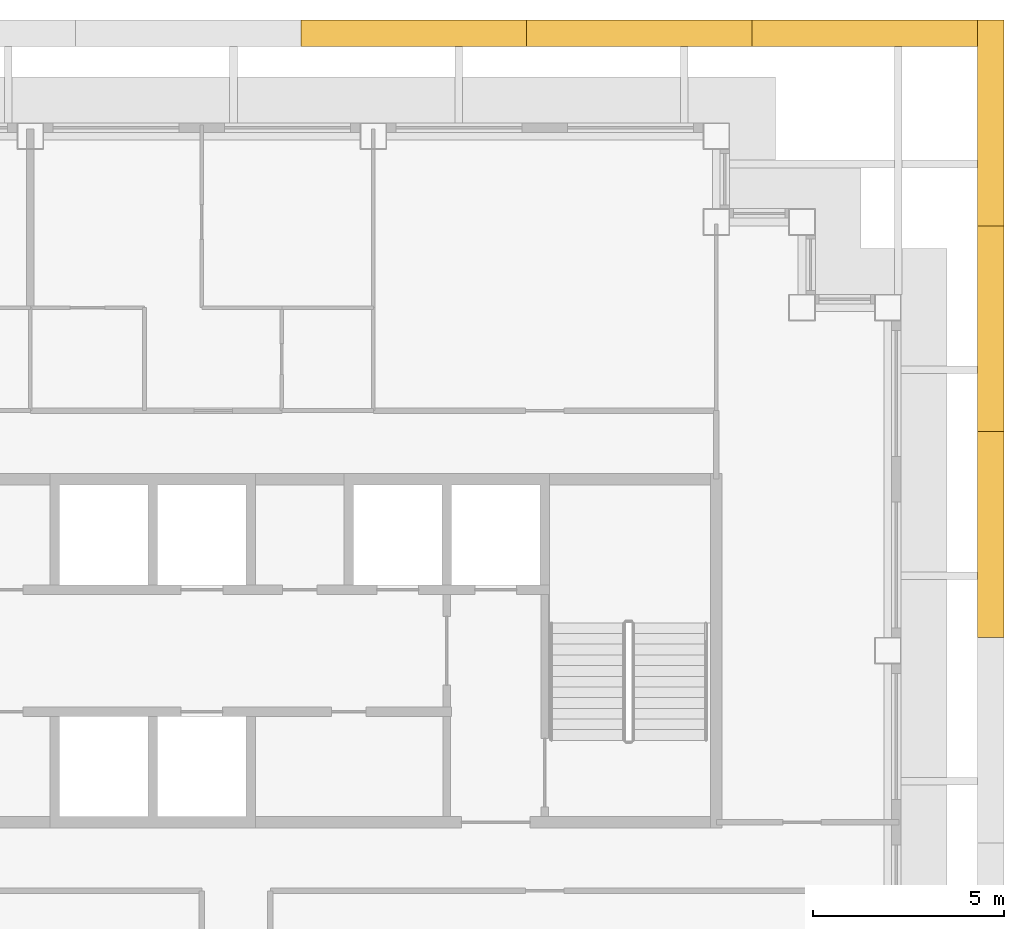
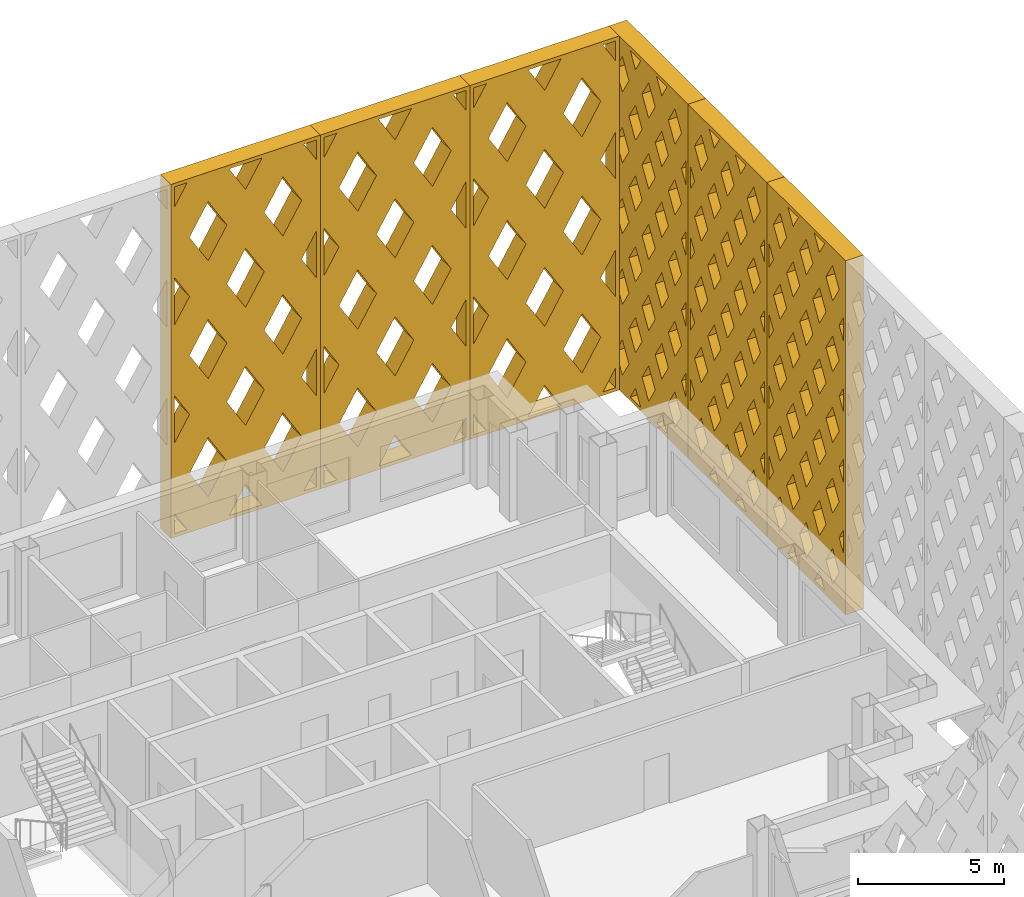
# One storey, part 16 of 16: 6 shading devices.
"""IFC4 building model written with IfcOpenShell, lengths in metres."""

from ifc_helpers import new_model, si_unit, direction, frame, origin, place, context, subcontext, project, spatial, polyline, outline, extrude, material, type_object, element, save


model = new_model("IFC4")

# Units and contexts
model_context = context("Model", 3, precision=1e-05, world=origin(), true_north=direction((0.0, 1.0)))
body_context = subcontext(model_context, "Body", "Model", "MODEL_VIEW")
ifc_project = project(units=[si_unit("LENGTHUNIT", "METRE"), si_unit("AREAUNIT", "SQUARE_METRE"), si_unit("VOLUMEUNIT", "CUBIC_METRE"), si_unit("PLANEANGLEUNIT", "RADIAN"), si_unit("MASSUNIT", "GRAM", prefix="KILO")], contexts=[model_context])

# Site, building, storey
site_placement = place(None, origin())
site = spatial("IfcSite", under=ifc_project, at=site_placement, CompositionType="ELEMENT")
building_placement = place(site_placement, origin())
building = spatial("IfcBuilding", under=site, at=building_placement, Name="Caravel Reach Hotel and Residences", CompositionType="ELEMENT")
storey_placement = place(building_placement, frame((0.0, 0.0, 207.199951171875)))
storey = spatial("IfcBuildingStorey", under=building, at=storey_placement, Name="L52", CompositionType="ELEMENT", Elevation=207.199951171875)

# Shading devices
ifc_material_1 = material(Name="Black powder-coated aluminium", Category="aluminium")
shading_device_type_1 = type_object("IfcShadingDeviceType", Name="Diamond lattice screen panel 5400 x 14800", PredefinedType="USERDEFINED", material=ifc_material_1)
shading_device_1_placement = place(storey_placement, frame((51.85009765625, 27.35009765625, 0.0), z_axis=(1.0, 0.0, 0.0), x_axis=(0.0, 1.0, 0.0)))
element("IfcShadingDevice", 1, at=shading_device_1_placement, inside=storey, type_object=shading_device_type_1, Name="Lattice screen L52-L55 3.4", ObjectType="SCREEN", PredefinedType="USERDEFINED", context=body_context, shape_type="SweptSolid", body=[
    extrude(outline(polyline([(0.0, 0.0), (5.39990234375, 0.0), (5.39990234375, 14.800048828125), (0.0, 14.800048828125), (0.0, 0.0)]), holes=[polyline([(0.452880859375, 2.9599609375), (0.14990234375, 3.4580078125), (0.14990234375, 2.4619140625), (0.452880859375, 2.9599609375)]), polyline([(0.452880859375, 5.919921875), (0.14990234375, 6.41796875), (0.14990234375, 5.421875), (0.452880859375, 5.919921875)]), polyline([(0.452880859375, 8.8798828125), (0.14990234375, 9.378173828125), (0.14990234375, 8.3818359375), (0.452880859375, 8.8798828125)]), polyline([(0.452880859375, 11.840087890625), (0.14990234375, 12.338134765625), (0.14990234375, 11.342041015625), (0.452880859375, 11.840087890625)]), polyline([(0.89990234375, 2.224853515625), (0.447021484375, 1.47998046875), (0.89990234375, 0.7353515625), (1.352783203125, 1.47998046875), (0.89990234375, 2.224853515625)]), polyline([(0.89990234375, 5.184814453125), (0.447021484375, 4.43994140625), (0.89990234375, 3.6953125), (1.352783203125, 4.43994140625), (0.89990234375, 5.184814453125)]), polyline([(0.89990234375, 8.144775390625), (0.447021484375, 7.39990234375), (0.89990234375, 6.6552734375), (1.352783203125, 7.39990234375), (0.89990234375, 8.144775390625)]), polyline([(0.89990234375, 11.104736328125), (0.447021484375, 10.360107421875), (0.89990234375, 9.615234375), (1.352783203125, 10.360107421875), (0.89990234375, 11.104736328125)]), polyline([(0.89990234375, 14.064697265625), (0.447021484375, 13.320068359375), (0.89990234375, 12.5751953125), (1.352783203125, 13.320068359375), (0.89990234375, 14.064697265625)]), polyline([(1.800048828125, 0.74462890625), (1.438232421875, 0.14990234375), (2.16162109375, 0.14990234375), (1.800048828125, 0.74462890625)]), polyline([(1.800048828125, 3.704833984375), (1.34716796875, 2.9599609375), (1.800048828125, 2.21533203125), (2.2529296875, 2.9599609375), (1.800048828125, 3.704833984375)]), polyline([(1.800048828125, 6.664794921875), (1.34716796875, 5.919921875), (1.800048828125, 5.17529296875), (2.2529296875, 5.919921875), (1.800048828125, 6.664794921875)]), polyline([(1.800048828125, 9.624755859375), (1.34716796875, 8.8798828125), (1.800048828125, 8.13525390625), (2.2529296875, 8.8798828125), (1.800048828125, 9.624755859375)]), polyline([(1.800048828125, 12.584716796875), (1.34716796875, 11.840087890625), (1.800048828125, 11.09521484375), (2.2529296875, 11.840087890625), (1.800048828125, 12.584716796875)]), polyline([(1.800048828125, 14.05517578125), (2.16162109375, 14.64990234375), (1.438232421875, 14.64990234375), (1.800048828125, 14.05517578125)]), polyline([(2.699951171875, 2.224853515625), (2.2470703125, 1.47998046875), (2.699951171875, 0.7353515625), (3.15283203125, 1.47998046875), (2.699951171875, 2.224853515625)]), polyline([(2.699951171875, 5.184814453125), (2.2470703125, 4.43994140625), (2.699951171875, 3.6953125), (3.15283203125, 4.43994140625), (2.699951171875, 5.184814453125)]), polyline([(2.699951171875, 8.144775390625), (2.2470703125, 7.39990234375), (2.699951171875, 6.6552734375), (3.15283203125, 7.39990234375), (2.699951171875, 8.144775390625)]), polyline([(2.699951171875, 11.104736328125), (2.2470703125, 10.360107421875), (2.699951171875, 9.615234375), (3.15283203125, 10.360107421875), (2.699951171875, 11.104736328125)]), polyline([(2.699951171875, 14.064697265625), (2.2470703125, 13.320068359375), (2.699951171875, 12.5751953125), (3.15283203125, 13.320068359375), (2.699951171875, 14.064697265625)]), polyline([(3.60009765625, 0.74462890625), (3.23828125, 0.14990234375), (3.961669921875, 0.14990234375), (3.60009765625, 0.74462890625)]), polyline([(3.60009765625, 3.704833984375), (3.147216796875, 2.9599609375), (3.60009765625, 2.21533203125), (4.052978515625, 2.9599609375), (3.60009765625, 3.704833984375)]), polyline([(3.60009765625, 6.664794921875), (3.147216796875, 5.919921875), (3.60009765625, 5.17529296875), (4.052978515625, 5.919921875), (3.60009765625, 6.664794921875)]), polyline([(3.60009765625, 9.624755859375), (3.147216796875, 8.8798828125), (3.60009765625, 8.13525390625), (4.052978515625, 8.8798828125), (3.60009765625, 9.624755859375)]), polyline([(3.60009765625, 12.584716796875), (3.147216796875, 11.840087890625), (3.60009765625, 11.09521484375), (4.052978515625, 11.840087890625), (3.60009765625, 12.584716796875)]), polyline([(3.60009765625, 14.05517578125), (3.961669921875, 14.64990234375), (3.23828125, 14.64990234375), (3.60009765625, 14.05517578125)]), polyline([(4.5, 2.224853515625), (4.047119140625, 1.47998046875), (4.5, 0.7353515625), (4.952880859375, 1.47998046875), (4.5, 2.224853515625)]), polyline([(4.5, 5.184814453125), (4.047119140625, 4.43994140625), (4.5, 3.6953125), (4.952880859375, 4.43994140625), (4.5, 5.184814453125)]), polyline([(4.5, 8.144775390625), (4.047119140625, 7.39990234375), (4.5, 6.6552734375), (4.952880859375, 7.39990234375), (4.5, 8.144775390625)]), polyline([(4.5, 11.104736328125), (4.047119140625, 10.360107421875), (4.5, 9.615234375), (4.952880859375, 10.360107421875), (4.5, 11.104736328125)]), polyline([(4.5, 14.064697265625), (4.047119140625, 13.320068359375), (4.5, 12.5751953125), (4.952880859375, 13.320068359375), (4.5, 14.064697265625)]), polyline([(4.947021484375, 2.9599609375), (5.25, 2.4619140625), (5.25, 3.4580078125), (4.947021484375, 2.9599609375)]), polyline([(4.947021484375, 5.919921875), (5.25, 5.421875), (5.25, 6.41796875), (4.947021484375, 5.919921875)]), polyline([(4.947021484375, 8.8798828125), (5.25, 8.3818359375), (5.25, 9.378173828125), (4.947021484375, 8.8798828125)]), polyline([(4.947021484375, 11.840087890625), (5.25, 11.342041015625), (5.25, 12.338134765625), (4.947021484375, 11.840087890625)])]), origin(), (0.0, 0.0, 1.0), 0.699951171875),
])
shading_device_2_placement = place(storey_placement, frame((51.85009765625, 32.75, 0.0), z_axis=(1.0, 0.0, 0.0), x_axis=(0.0, 1.0, 0.0)))
element("IfcShadingDevice", 2, at=shading_device_2_placement, inside=storey, type_object=shading_device_type_1, Name="Lattice screen L52-L55 3.5", ObjectType="SCREEN", PredefinedType="USERDEFINED", context=body_context, shape_type="SweptSolid", body=[
    extrude(outline(polyline([(0.0, 0.0), (5.39990234375, 0.0), (5.39990234375, 14.800048828125), (0.0, 14.800048828125), (0.0, 0.0)]), holes=[polyline([(0.452880859375, 2.9599609375), (0.14990234375, 3.4580078125), (0.14990234375, 2.4619140625), (0.452880859375, 2.9599609375)]), polyline([(0.452880859375, 5.919921875), (0.14990234375, 6.41796875), (0.14990234375, 5.421875), (0.452880859375, 5.919921875)]), polyline([(0.452880859375, 8.8798828125), (0.14990234375, 9.378173828125), (0.14990234375, 8.3818359375), (0.452880859375, 8.8798828125)]), polyline([(0.452880859375, 11.840087890625), (0.14990234375, 12.338134765625), (0.14990234375, 11.342041015625), (0.452880859375, 11.840087890625)]), polyline([(0.89990234375, 2.224853515625), (0.447021484375, 1.47998046875), (0.89990234375, 0.7353515625), (1.352783203125, 1.47998046875), (0.89990234375, 2.224853515625)]), polyline([(0.89990234375, 5.184814453125), (0.447021484375, 4.43994140625), (0.89990234375, 3.6953125), (1.352783203125, 4.43994140625), (0.89990234375, 5.184814453125)]), polyline([(0.89990234375, 8.144775390625), (0.447021484375, 7.39990234375), (0.89990234375, 6.6552734375), (1.352783203125, 7.39990234375), (0.89990234375, 8.144775390625)]), polyline([(0.89990234375, 11.104736328125), (0.447021484375, 10.360107421875), (0.89990234375, 9.615234375), (1.352783203125, 10.360107421875), (0.89990234375, 11.104736328125)]), polyline([(0.89990234375, 14.064697265625), (0.447021484375, 13.320068359375), (0.89990234375, 12.5751953125), (1.352783203125, 13.320068359375), (0.89990234375, 14.064697265625)]), polyline([(1.800048828125, 0.74462890625), (1.438232421875, 0.14990234375), (2.16162109375, 0.14990234375), (1.800048828125, 0.74462890625)]), polyline([(1.800048828125, 3.704833984375), (1.34716796875, 2.9599609375), (1.800048828125, 2.21533203125), (2.2529296875, 2.9599609375), (1.800048828125, 3.704833984375)]), polyline([(1.800048828125, 6.664794921875), (1.34716796875, 5.919921875), (1.800048828125, 5.17529296875), (2.2529296875, 5.919921875), (1.800048828125, 6.664794921875)]), polyline([(1.800048828125, 9.624755859375), (1.34716796875, 8.8798828125), (1.800048828125, 8.13525390625), (2.2529296875, 8.8798828125), (1.800048828125, 9.624755859375)]), polyline([(1.800048828125, 12.584716796875), (1.34716796875, 11.840087890625), (1.800048828125, 11.09521484375), (2.2529296875, 11.840087890625), (1.800048828125, 12.584716796875)]), polyline([(1.800048828125, 14.05517578125), (2.16162109375, 14.64990234375), (1.438232421875, 14.64990234375), (1.800048828125, 14.05517578125)]), polyline([(2.699951171875, 2.224853515625), (2.2470703125, 1.47998046875), (2.699951171875, 0.7353515625), (3.15283203125, 1.47998046875), (2.699951171875, 2.224853515625)]), polyline([(2.699951171875, 5.184814453125), (2.2470703125, 4.43994140625), (2.699951171875, 3.6953125), (3.15283203125, 4.43994140625), (2.699951171875, 5.184814453125)]), polyline([(2.699951171875, 8.144775390625), (2.2470703125, 7.39990234375), (2.699951171875, 6.6552734375), (3.15283203125, 7.39990234375), (2.699951171875, 8.144775390625)]), polyline([(2.699951171875, 11.104736328125), (2.2470703125, 10.360107421875), (2.699951171875, 9.615234375), (3.15283203125, 10.360107421875), (2.699951171875, 11.104736328125)]), polyline([(2.699951171875, 14.064697265625), (2.2470703125, 13.320068359375), (2.699951171875, 12.5751953125), (3.15283203125, 13.320068359375), (2.699951171875, 14.064697265625)]), polyline([(3.60009765625, 0.74462890625), (3.23828125, 0.14990234375), (3.961669921875, 0.14990234375), (3.60009765625, 0.74462890625)]), polyline([(3.60009765625, 3.704833984375), (3.147216796875, 2.9599609375), (3.60009765625, 2.21533203125), (4.052978515625, 2.9599609375), (3.60009765625, 3.704833984375)]), polyline([(3.60009765625, 6.664794921875), (3.147216796875, 5.919921875), (3.60009765625, 5.17529296875), (4.052978515625, 5.919921875), (3.60009765625, 6.664794921875)]), polyline([(3.60009765625, 9.624755859375), (3.147216796875, 8.8798828125), (3.60009765625, 8.13525390625), (4.052978515625, 8.8798828125), (3.60009765625, 9.624755859375)]), polyline([(3.60009765625, 12.584716796875), (3.147216796875, 11.840087890625), (3.60009765625, 11.09521484375), (4.052978515625, 11.840087890625), (3.60009765625, 12.584716796875)]), polyline([(3.60009765625, 14.05517578125), (3.961669921875, 14.64990234375), (3.23828125, 14.64990234375), (3.60009765625, 14.05517578125)]), polyline([(4.5, 2.224853515625), (4.047119140625, 1.47998046875), (4.5, 0.7353515625), (4.952880859375, 1.47998046875), (4.5, 2.224853515625)]), polyline([(4.5, 5.184814453125), (4.047119140625, 4.43994140625), (4.5, 3.6953125), (4.952880859375, 4.43994140625), (4.5, 5.184814453125)]), polyline([(4.5, 8.144775390625), (4.047119140625, 7.39990234375), (4.5, 6.6552734375), (4.952880859375, 7.39990234375), (4.5, 8.144775390625)]), polyline([(4.5, 11.104736328125), (4.047119140625, 10.360107421875), (4.5, 9.615234375), (4.952880859375, 10.360107421875), (4.5, 11.104736328125)]), polyline([(4.5, 14.064697265625), (4.047119140625, 13.320068359375), (4.5, 12.5751953125), (4.952880859375, 13.320068359375), (4.5, 14.064697265625)]), polyline([(4.947021484375, 2.9599609375), (5.25, 2.4619140625), (5.25, 3.4580078125), (4.947021484375, 2.9599609375)]), polyline([(4.947021484375, 5.919921875), (5.25, 5.421875), (5.25, 6.41796875), (4.947021484375, 5.919921875)]), polyline([(4.947021484375, 8.8798828125), (5.25, 8.3818359375), (5.25, 9.378173828125), (4.947021484375, 8.8798828125)]), polyline([(4.947021484375, 11.840087890625), (5.25, 11.342041015625), (5.25, 12.338134765625), (4.947021484375, 11.840087890625)])]), origin(), (0.0, 0.0, 1.0), 0.699951171875),
])
shading_device_3_placement = place(storey_placement, frame((51.85009765625, 38.14990234375, 0.0), z_axis=(1.0, 0.0, 0.0), x_axis=(0.0, 1.0, 0.0)))
element("IfcShadingDevice", 3, at=shading_device_3_placement, inside=storey, type_object=shading_device_type_1, Name="Lattice screen L52-L55 3.6", ObjectType="SCREEN", PredefinedType="USERDEFINED", context=body_context, shape_type="SweptSolid", body=[
    extrude(outline(polyline([(0.0, 0.0), (5.39990234375, 0.0), (5.39990234375, 14.800048828125), (0.0, 14.800048828125), (0.0, 0.0)]), holes=[polyline([(0.452880859375, 2.9599609375), (0.14990234375, 3.4580078125), (0.14990234375, 2.4619140625), (0.452880859375, 2.9599609375)]), polyline([(0.452880859375, 5.919921875), (0.14990234375, 6.41796875), (0.14990234375, 5.421875), (0.452880859375, 5.919921875)]), polyline([(0.452880859375, 8.8798828125), (0.14990234375, 9.378173828125), (0.14990234375, 8.3818359375), (0.452880859375, 8.8798828125)]), polyline([(0.452880859375, 11.840087890625), (0.14990234375, 12.338134765625), (0.14990234375, 11.342041015625), (0.452880859375, 11.840087890625)]), polyline([(0.89990234375, 2.224853515625), (0.447021484375, 1.47998046875), (0.89990234375, 0.7353515625), (1.352783203125, 1.47998046875), (0.89990234375, 2.224853515625)]), polyline([(0.89990234375, 5.184814453125), (0.447021484375, 4.43994140625), (0.89990234375, 3.6953125), (1.352783203125, 4.43994140625), (0.89990234375, 5.184814453125)]), polyline([(0.89990234375, 8.144775390625), (0.447021484375, 7.39990234375), (0.89990234375, 6.6552734375), (1.352783203125, 7.39990234375), (0.89990234375, 8.144775390625)]), polyline([(0.89990234375, 11.104736328125), (0.447021484375, 10.360107421875), (0.89990234375, 9.615234375), (1.352783203125, 10.360107421875), (0.89990234375, 11.104736328125)]), polyline([(0.89990234375, 14.064697265625), (0.447021484375, 13.320068359375), (0.89990234375, 12.5751953125), (1.352783203125, 13.320068359375), (0.89990234375, 14.064697265625)]), polyline([(1.800048828125, 0.74462890625), (1.438232421875, 0.14990234375), (2.16162109375, 0.14990234375), (1.800048828125, 0.74462890625)]), polyline([(1.800048828125, 3.704833984375), (1.34716796875, 2.9599609375), (1.800048828125, 2.21533203125), (2.2529296875, 2.9599609375), (1.800048828125, 3.704833984375)]), polyline([(1.800048828125, 6.664794921875), (1.34716796875, 5.919921875), (1.800048828125, 5.17529296875), (2.2529296875, 5.919921875), (1.800048828125, 6.664794921875)]), polyline([(1.800048828125, 9.624755859375), (1.34716796875, 8.8798828125), (1.800048828125, 8.13525390625), (2.2529296875, 8.8798828125), (1.800048828125, 9.624755859375)]), polyline([(1.800048828125, 12.584716796875), (1.34716796875, 11.840087890625), (1.800048828125, 11.09521484375), (2.2529296875, 11.840087890625), (1.800048828125, 12.584716796875)]), polyline([(1.800048828125, 14.05517578125), (2.16162109375, 14.64990234375), (1.438232421875, 14.64990234375), (1.800048828125, 14.05517578125)]), polyline([(2.699951171875, 2.224853515625), (2.2470703125, 1.47998046875), (2.699951171875, 0.7353515625), (3.15283203125, 1.47998046875), (2.699951171875, 2.224853515625)]), polyline([(2.699951171875, 5.184814453125), (2.2470703125, 4.43994140625), (2.699951171875, 3.6953125), (3.15283203125, 4.43994140625), (2.699951171875, 5.184814453125)]), polyline([(2.699951171875, 8.144775390625), (2.2470703125, 7.39990234375), (2.699951171875, 6.6552734375), (3.15283203125, 7.39990234375), (2.699951171875, 8.144775390625)]), polyline([(2.699951171875, 11.104736328125), (2.2470703125, 10.360107421875), (2.699951171875, 9.615234375), (3.15283203125, 10.360107421875), (2.699951171875, 11.104736328125)]), polyline([(2.699951171875, 14.064697265625), (2.2470703125, 13.320068359375), (2.699951171875, 12.5751953125), (3.15283203125, 13.320068359375), (2.699951171875, 14.064697265625)]), polyline([(3.60009765625, 0.74462890625), (3.23828125, 0.14990234375), (3.961669921875, 0.14990234375), (3.60009765625, 0.74462890625)]), polyline([(3.60009765625, 3.704833984375), (3.147216796875, 2.9599609375), (3.60009765625, 2.21533203125), (4.052978515625, 2.9599609375), (3.60009765625, 3.704833984375)]), polyline([(3.60009765625, 6.664794921875), (3.147216796875, 5.919921875), (3.60009765625, 5.17529296875), (4.052978515625, 5.919921875), (3.60009765625, 6.664794921875)]), polyline([(3.60009765625, 9.624755859375), (3.147216796875, 8.8798828125), (3.60009765625, 8.13525390625), (4.052978515625, 8.8798828125), (3.60009765625, 9.624755859375)]), polyline([(3.60009765625, 12.584716796875), (3.147216796875, 11.840087890625), (3.60009765625, 11.09521484375), (4.052978515625, 11.840087890625), (3.60009765625, 12.584716796875)]), polyline([(3.60009765625, 14.05517578125), (3.961669921875, 14.64990234375), (3.23828125, 14.64990234375), (3.60009765625, 14.05517578125)]), polyline([(4.5, 2.224853515625), (4.047119140625, 1.47998046875), (4.5, 0.7353515625), (4.952880859375, 1.47998046875), (4.5, 2.224853515625)]), polyline([(4.5, 5.184814453125), (4.047119140625, 4.43994140625), (4.5, 3.6953125), (4.952880859375, 4.43994140625), (4.5, 5.184814453125)]), polyline([(4.5, 8.144775390625), (4.047119140625, 7.39990234375), (4.5, 6.6552734375), (4.952880859375, 7.39990234375), (4.5, 8.144775390625)]), polyline([(4.5, 11.104736328125), (4.047119140625, 10.360107421875), (4.5, 9.615234375), (4.952880859375, 10.360107421875), (4.5, 11.104736328125)]), polyline([(4.5, 14.064697265625), (4.047119140625, 13.320068359375), (4.5, 12.5751953125), (4.952880859375, 13.320068359375), (4.5, 14.064697265625)]), polyline([(4.947021484375, 2.9599609375), (5.25, 2.4619140625), (5.25, 3.4580078125), (4.947021484375, 2.9599609375)]), polyline([(4.947021484375, 5.919921875), (5.25, 5.421875), (5.25, 6.41796875), (4.947021484375, 5.919921875)]), polyline([(4.947021484375, 8.8798828125), (5.25, 8.3818359375), (5.25, 9.378173828125), (4.947021484375, 8.8798828125)]), polyline([(4.947021484375, 11.840087890625), (5.25, 11.342041015625), (5.25, 12.338134765625), (4.947021484375, 11.840087890625)])]), origin(), (0.0, 0.0, 1.0), 0.699951171875),
])
ifc_material_2 = material(Name="Black powder-coated aluminium", Category="aluminium")
shading_device_type_2 = type_object("IfcShadingDeviceType", Name="Diamond lattice screen panel 5914 x 14800", PredefinedType="USERDEFINED", material=ifc_material_2)
shading_device_4_placement = place(storey_placement, frame((51.85009765625, 42.85009765625, 0.0), z_axis=(0.0, 1.0, 0.0), x_axis=(-1.0, 0.0, 0.0)))
element("IfcShadingDevice", 4, at=shading_device_4_placement, inside=storey, type_object=shading_device_type_2, Name="Lattice screen L52-L55 4.1", ObjectType="SCREEN", PredefinedType="USERDEFINED", context=body_context, shape_type="SweptSolid", body=[
    extrude(outline(polyline([(0.0, 0.0), (5.914306640625, 0.0), (5.914306640625, 14.800048828125), (0.0, 14.800048828125), (0.0, 0.0)]), holes=[polyline([(0.6513671875, 0.14990234375), (0.14990234375, 0.986572265625), (0.14990234375, 0.14990234375), (0.6513671875, 0.14990234375)]), polyline([(0.7412109375, 4.933349609375), (0.14990234375, 5.919921875), (0.14990234375, 3.94677734375), (0.7412109375, 4.933349609375)]), polyline([(0.7412109375, 9.86669921875), (0.14990234375, 10.853271484375), (0.14990234375, 8.880126953125), (0.7412109375, 9.86669921875)]), polyline([(0.14990234375, 13.8134765625), (0.6513671875, 14.64990234375), (0.14990234375, 14.64990234375), (0.14990234375, 13.8134765625)]), polyline([(1.478515625, 3.703369140625), (0.7373046875, 2.466552734375), (1.478515625, 1.22998046875), (2.219970703125, 2.466552734375), (1.478515625, 3.703369140625)]), polyline([(1.478515625, 8.63671875), (0.7373046875, 7.39990234375), (1.478515625, 6.163330078125), (2.219970703125, 7.39990234375), (1.478515625, 8.63671875)]), polyline([(1.478515625, 13.570068359375), (0.7373046875, 12.333251953125), (1.478515625, 11.0966796875), (2.219970703125, 12.333251953125), (1.478515625, 13.570068359375)]), polyline([(2.95703125, 1.23681640625), (2.3056640625, 0.14990234375), (3.608642578125, 0.14990234375), (2.95703125, 1.23681640625)]), polyline([(2.95703125, 6.170166015625), (2.2158203125, 4.933349609375), (2.95703125, 3.696533203125), (3.698486328125, 4.933349609375), (2.95703125, 6.170166015625)]), polyline([(2.95703125, 11.103515625), (2.2158203125, 9.86669921875), (2.95703125, 8.6298828125), (3.698486328125, 9.86669921875), (2.95703125, 11.103515625)]), polyline([(2.95703125, 13.563232421875), (3.608642578125, 14.64990234375), (2.3056640625, 14.64990234375), (2.95703125, 13.563232421875)]), polyline([(4.435791015625, 3.703369140625), (3.6943359375, 2.466552734375), (4.435791015625, 1.22998046875), (5.177001953125, 2.466552734375), (4.435791015625, 3.703369140625)]), polyline([(4.435791015625, 8.63671875), (3.6943359375, 7.39990234375), (4.435791015625, 6.163330078125), (5.177001953125, 7.39990234375), (4.435791015625, 8.63671875)]), polyline([(4.435791015625, 13.570068359375), (3.6943359375, 12.333251953125), (4.435791015625, 11.0966796875), (5.177001953125, 12.333251953125), (4.435791015625, 13.570068359375)]), polyline([(5.764404296875, 0.986572265625), (5.262939453125, 0.14990234375), (5.764404296875, 0.14990234375), (5.764404296875, 0.986572265625)]), polyline([(5.1728515625, 4.933349609375), (5.764404296875, 3.94677734375), (5.764404296875, 5.919921875), (5.1728515625, 4.933349609375)]), polyline([(5.1728515625, 9.86669921875), (5.764404296875, 8.880126953125), (5.764404296875, 10.853271484375), (5.1728515625, 9.86669921875)]), polyline([(5.262939453125, 14.64990234375), (5.764404296875, 13.8134765625), (5.764404296875, 14.64990234375), (5.262939453125, 14.64990234375)])]), origin(), (0.0, 0.0, 1.0), 0.699951171875),
])
shading_device_5_placement = place(storey_placement, frame((45.935791015625, 42.85009765625, 0.0), z_axis=(0.0, 1.0, 0.0), x_axis=(-1.0, 0.0, 0.0)))
element("IfcShadingDevice", 5, at=shading_device_5_placement, inside=storey, type_object=shading_device_type_2, Name="Lattice screen L52-L55 4.2", ObjectType="SCREEN", PredefinedType="USERDEFINED", context=body_context, shape_type="SweptSolid", body=[
    extrude(outline(polyline([(0.0, 0.0), (5.914306640625, 0.0), (5.914306640625, 14.800048828125), (0.0, 14.800048828125), (0.0, 0.0)]), holes=[polyline([(0.6513671875, 0.14990234375), (0.14990234375, 0.986572265625), (0.14990234375, 0.14990234375), (0.6513671875, 0.14990234375)]), polyline([(0.7412109375, 4.933349609375), (0.14990234375, 5.919921875), (0.14990234375, 3.94677734375), (0.7412109375, 4.933349609375)]), polyline([(0.7412109375, 9.86669921875), (0.14990234375, 10.853271484375), (0.14990234375, 8.880126953125), (0.7412109375, 9.86669921875)]), polyline([(0.14990234375, 13.8134765625), (0.6513671875, 14.64990234375), (0.14990234375, 14.64990234375), (0.14990234375, 13.8134765625)]), polyline([(1.478515625, 3.703369140625), (0.7373046875, 2.466552734375), (1.478515625, 1.22998046875), (2.219970703125, 2.466552734375), (1.478515625, 3.703369140625)]), polyline([(1.478515625, 8.63671875), (0.7373046875, 7.39990234375), (1.478515625, 6.163330078125), (2.219970703125, 7.39990234375), (1.478515625, 8.63671875)]), polyline([(1.478515625, 13.570068359375), (0.7373046875, 12.333251953125), (1.478515625, 11.0966796875), (2.219970703125, 12.333251953125), (1.478515625, 13.570068359375)]), polyline([(2.95703125, 1.23681640625), (2.3056640625, 0.14990234375), (3.608642578125, 0.14990234375), (2.95703125, 1.23681640625)]), polyline([(2.95703125, 6.170166015625), (2.2158203125, 4.933349609375), (2.95703125, 3.696533203125), (3.698486328125, 4.933349609375), (2.95703125, 6.170166015625)]), polyline([(2.95703125, 11.103515625), (2.2158203125, 9.86669921875), (2.95703125, 8.6298828125), (3.698486328125, 9.86669921875), (2.95703125, 11.103515625)]), polyline([(2.95703125, 13.563232421875), (3.608642578125, 14.64990234375), (2.3056640625, 14.64990234375), (2.95703125, 13.563232421875)]), polyline([(4.435791015625, 3.703369140625), (3.6943359375, 2.466552734375), (4.435791015625, 1.22998046875), (5.177001953125, 2.466552734375), (4.435791015625, 3.703369140625)]), polyline([(4.435791015625, 8.63671875), (3.6943359375, 7.39990234375), (4.435791015625, 6.163330078125), (5.177001953125, 7.39990234375), (4.435791015625, 8.63671875)]), polyline([(4.435791015625, 13.570068359375), (3.6943359375, 12.333251953125), (4.435791015625, 11.0966796875), (5.177001953125, 12.333251953125), (4.435791015625, 13.570068359375)]), polyline([(5.764404296875, 0.986572265625), (5.262939453125, 0.14990234375), (5.764404296875, 0.14990234375), (5.764404296875, 0.986572265625)]), polyline([(5.1728515625, 4.933349609375), (5.764404296875, 3.94677734375), (5.764404296875, 5.919921875), (5.1728515625, 4.933349609375)]), polyline([(5.1728515625, 9.86669921875), (5.764404296875, 8.880126953125), (5.764404296875, 10.853271484375), (5.1728515625, 9.86669921875)]), polyline([(5.262939453125, 14.64990234375), (5.764404296875, 13.8134765625), (5.764404296875, 14.64990234375), (5.262939453125, 14.64990234375)])]), origin(), (0.0, 0.0, 1.0), 0.699951171875),
])
shading_device_6_placement = place(storey_placement, frame((40.021484375, 42.85009765625, 0.0), z_axis=(0.0, 1.0, 0.0), x_axis=(-1.0, 0.0, 0.0)))
element("IfcShadingDevice", 6, at=shading_device_6_placement, inside=storey, type_object=shading_device_type_2, Name="Lattice screen L52-L55 4.3", ObjectType="SCREEN", PredefinedType="USERDEFINED", context=body_context, shape_type="SweptSolid", body=[
    extrude(outline(polyline([(0.0, 0.0), (5.914306640625, 0.0), (5.914306640625, 14.800048828125), (0.0, 14.800048828125), (0.0, 0.0)]), holes=[polyline([(0.6513671875, 0.14990234375), (0.14990234375, 0.986572265625), (0.14990234375, 0.14990234375), (0.6513671875, 0.14990234375)]), polyline([(0.7412109375, 4.933349609375), (0.14990234375, 5.919921875), (0.14990234375, 3.94677734375), (0.7412109375, 4.933349609375)]), polyline([(0.7412109375, 9.86669921875), (0.14990234375, 10.853271484375), (0.14990234375, 8.880126953125), (0.7412109375, 9.86669921875)]), polyline([(0.14990234375, 13.8134765625), (0.6513671875, 14.64990234375), (0.14990234375, 14.64990234375), (0.14990234375, 13.8134765625)]), polyline([(1.478515625, 3.703369140625), (0.7373046875, 2.466552734375), (1.478515625, 1.22998046875), (2.219970703125, 2.466552734375), (1.478515625, 3.703369140625)]), polyline([(1.478515625, 8.63671875), (0.7373046875, 7.39990234375), (1.478515625, 6.163330078125), (2.219970703125, 7.39990234375), (1.478515625, 8.63671875)]), polyline([(1.478515625, 13.570068359375), (0.7373046875, 12.333251953125), (1.478515625, 11.0966796875), (2.219970703125, 12.333251953125), (1.478515625, 13.570068359375)]), polyline([(2.95703125, 1.23681640625), (2.3056640625, 0.14990234375), (3.608642578125, 0.14990234375), (2.95703125, 1.23681640625)]), polyline([(2.95703125, 6.170166015625), (2.2158203125, 4.933349609375), (2.95703125, 3.696533203125), (3.698486328125, 4.933349609375), (2.95703125, 6.170166015625)]), polyline([(2.95703125, 11.103515625), (2.2158203125, 9.86669921875), (2.95703125, 8.6298828125), (3.698486328125, 9.86669921875), (2.95703125, 11.103515625)]), polyline([(2.95703125, 13.563232421875), (3.608642578125, 14.64990234375), (2.3056640625, 14.64990234375), (2.95703125, 13.563232421875)]), polyline([(4.435791015625, 3.703369140625), (3.6943359375, 2.466552734375), (4.435791015625, 1.22998046875), (5.177001953125, 2.466552734375), (4.435791015625, 3.703369140625)]), polyline([(4.435791015625, 8.63671875), (3.6943359375, 7.39990234375), (4.435791015625, 6.163330078125), (5.177001953125, 7.39990234375), (4.435791015625, 8.63671875)]), polyline([(4.435791015625, 13.570068359375), (3.6943359375, 12.333251953125), (4.435791015625, 11.0966796875), (5.177001953125, 12.333251953125), (4.435791015625, 13.570068359375)]), polyline([(5.764404296875, 0.986572265625), (5.262939453125, 0.14990234375), (5.764404296875, 0.14990234375), (5.764404296875, 0.986572265625)]), polyline([(5.1728515625, 4.933349609375), (5.764404296875, 3.94677734375), (5.764404296875, 5.919921875), (5.1728515625, 4.933349609375)]), polyline([(5.1728515625, 9.86669921875), (5.764404296875, 8.880126953125), (5.764404296875, 10.853271484375), (5.1728515625, 9.86669921875)]), polyline([(5.262939453125, 14.64990234375), (5.764404296875, 13.8134765625), (5.764404296875, 14.64990234375), (5.262939453125, 14.64990234375)])]), origin(), (0.0, 0.0, 1.0), 0.699951171875),
])

save(model, "model.ifc")
